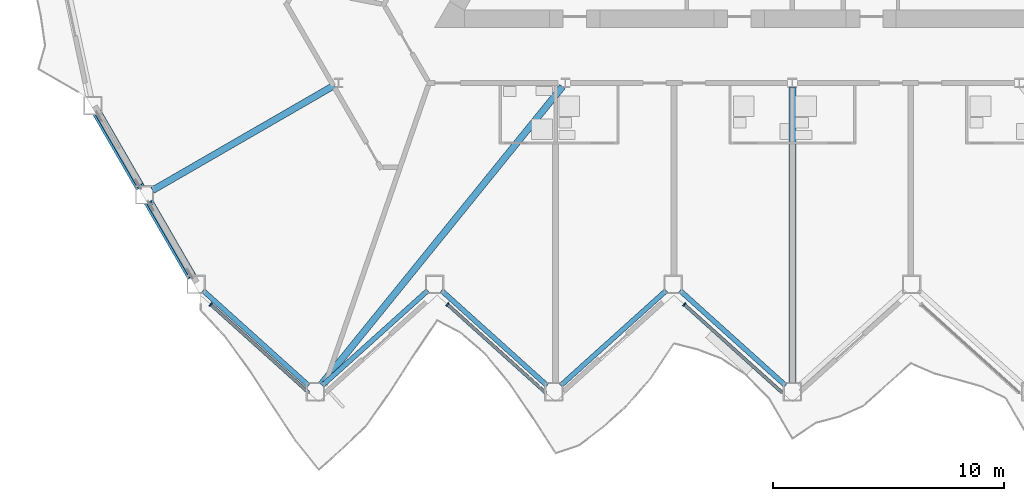
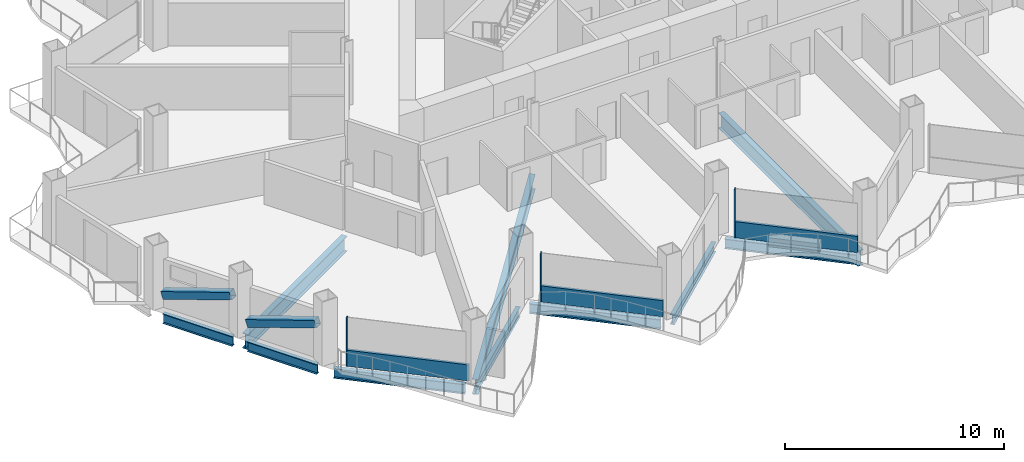
# One storey, part 3 of 23: 10 beams, 8 members, 3 elements without a shape of their own.
"""IFC4 building model written with IfcOpenShell, lengths in metres."""

from ifc_helpers import new_model, si_unit, direction, frame, origin, origin_2d, place, context, subcontext, project, spatial, rectangle, hollow_rectangle, i_section, extrude, material, layer, layer_set, material_profile, profile_set, type_object, element, aggregate, save


model = new_model("IFC4")

# Units and contexts
model_context = context("Model", 3, precision=1e-05, world=origin(), true_north=direction((0.0, 1.0)))
body_context = subcontext(model_context, "Body", "Model", "MODEL_VIEW")
ifc_project = project(units=[si_unit("LENGTHUNIT", "METRE"), si_unit("AREAUNIT", "SQUARE_METRE"), si_unit("VOLUMEUNIT", "CUBIC_METRE"), si_unit("PLANEANGLEUNIT", "RADIAN"), si_unit("MASSUNIT", "GRAM", prefix="KILO")], contexts=[model_context])

# Site, building, storey
site_placement = place(None, origin())
site = spatial("IfcSite", under=ifc_project, at=site_placement, CompositionType="ELEMENT")
building_placement = place(site_placement, origin())
building = spatial("IfcBuilding", under=site, at=building_placement, Name="Cormorant Prow Tower", CompositionType="ELEMENT")
storey_placement = place(building_placement, frame((0.0, 0.0, 183.60009765625)))
storey = spatial("IfcBuildingStorey", under=building, at=storey_placement, Name="L39", CompositionType="ELEMENT", Elevation=183.60009765625)

# Members
ifc_material_1 = material(Name="Structural steel ASTM A500 Gr C", Category="steel")
ifc_material_profile_1 = material_profile(ifc_material_1, hollow_rectangle(XDim=0.406494140625, YDim=0.406494140625, WallThickness=0.01171875, at=origin_2d()), Name="HSS16x16x1/2")
ifc_profile_set_1 = profile_set([ifc_material_profile_1], Name="Structural steel ASTM A500 Gr C")
member_type_1 = type_object("IfcMemberType", Name="Chamfer brace HSS16x16x1/2", PredefinedType="BRACE", material=ifc_profile_set_1)
member_1_placement = place(storey_placement, frame((-30.08544921875, -12.689453125, 0.739990234375), z_axis=(0.473992878603, -0.821006330213, 0.318244177926), x_axis=(0.866032413668, 0.499987858329, 0.0)))
element("IfcMember", 1, at=member_1_placement, inside=storey, type_object=member_type_1, Name="Chamfer brace BR2 at WSW00 L39", PredefinedType="BRACE", context=body_context, shape_type="SweptSolid", body=[
    extrude(hollow_rectangle(XDim=0.406494140625, YDim=0.406494140625, WallThickness=0.01171875, at=origin_2d()), origin(), (0.0, 0.0, 1.0), 3.835693359375),
])
member_2_placement = place(storey_placement, frame((-27.850341796875, -16.56103515625, 0.739990234375), z_axis=(0.474017648602, -0.820985582338, 0.318260808783), x_axis=(0.866015628144, 0.500016931523, 0.0)))
element("IfcMember", 2, at=member_2_placement, inside=storey, type_object=member_type_1, Name="Chamfer brace BR2 at WSW01 L39", PredefinedType="BRACE", context=body_context, shape_type="SweptSolid", body=[
    extrude(hollow_rectangle(XDim=0.406494140625, YDim=0.406494140625, WallThickness=0.01171875, at=origin_2d()), origin(), (0.0, 0.0, 1.0), 3.83544921875),
])

# Curtain wall, member
ifc_material_2 = material(Name="Aluminium 6063-T6", Category="aluminium")
ifc_layer = layer(ifc_material_2, 0.179931640625)
ifc_layer_set = layer_set([ifc_layer], Name="Aluminium 6063-T6")
curtain_wall_type = type_object("IfcCurtainWallType", Name="Hotel unitised curtain wall 180", PredefinedType="NOTDEFINED", material=ifc_layer_set)
curtain_wall_1_placement = place(storey_placement, origin())
curtain_wall_1 = element("IfcCurtainWall", 3, at=curtain_wall_1_placement, inside=storey, type_object=curtain_wall_type, Name="Hotel curtain wall S00", PredefinedType="NOTDEFINED")
ifc_material_3 = material(Name="Aluminium 6063-T6", Category="aluminium")
ifc_material_profile_2 = material_profile(ifc_material_3, rectangle(XDim=0.179931640625, YDim=0.06005859375, at=origin_2d()), Name="Hotel mullion 60x180")
ifc_profile_set_2 = profile_set([ifc_material_profile_2], Name="Aluminium 6063-T6")
member_type_2 = type_object("IfcMemberType", Name="Hotel mullion 60x180", PredefinedType="MULLION", material=ifc_profile_set_2)
member_3_placement = place(storey_placement, frame((-25.191162109375, -20.94189453125, 0.0), z_axis=(0.0, 0.0, 1.0), x_axis=(0.669130655957, 0.743144780819, 0.0)))
member_3 = element("IfcMember", 4, at=member_3_placement, type_object=member_type_2, Name="Hotel mullion S00", PredefinedType="MULLION", context=body_context, shape_type="SweptSolid", body=[
    extrude(rectangle(XDim=0.179931640625, YDim=0.06005859375, at=origin_2d()), origin(), (0.0, 0.0, 1.0), 2.70068359375),
])

curtain_wall_2_placement = place(storey_placement, origin())
curtain_wall_2 = element("IfcCurtainWall", 5, at=curtain_wall_2_placement, inside=storey, type_object=curtain_wall_type, Name="Hotel curtain wall S02", PredefinedType="NOTDEFINED")
member_4_placement = place(storey_placement, frame((-14.93701171875, -20.94189453125, 0.0), z_axis=(0.0, 0.0, 1.0), x_axis=(0.669130583881, 0.743144845716, 0.0)))
member_4 = element("IfcMember", 6, at=member_4_placement, type_object=member_type_2, Name="Hotel mullion S02", PredefinedType="MULLION", context=body_context, shape_type="SweptSolid", body=[
    extrude(rectangle(XDim=0.179931640625, YDim=0.06005859375, at=origin_2d()), origin(), (0.0, 0.0, 1.0), 2.70068359375),
])

curtain_wall_3_placement = place(storey_placement, origin())
curtain_wall_3 = element("IfcCurtainWall", 7, at=curtain_wall_3_placement, inside=storey, type_object=curtain_wall_type, Name="Hotel curtain wall S04", PredefinedType="NOTDEFINED")
member_5_placement = place(storey_placement, frame((-4.6826171875, -20.94189453125, 0.0), z_axis=(0.0, 0.0, 1.0), x_axis=(0.669130583881, 0.743144845716, 0.0)))
member_5 = element("IfcMember", 8, at=member_5_placement, type_object=member_type_2, Name="Hotel mullion S04", PredefinedType="MULLION", context=body_context, shape_type="SweptSolid", body=[
    extrude(rectangle(XDim=0.179931640625, YDim=0.06005859375, at=origin_2d()), origin(), (0.0, 0.0, 1.0), 2.70068359375),
])

# Member
ifc_material_4 = material(Name="Terracotta", Category="masonry")
ifc_material_profile_3 = material_profile(ifc_material_4, rectangle(XDim=0.139892578125, YDim=0.89990234375, at=origin_2d()), Name="Hotel terracotta spandrel rail 140x900")
ifc_profile_set_3 = profile_set([ifc_material_profile_3], Name="Terracotta")
member_type_3 = type_object("IfcMemberType", Name="Hotel terracotta spandrel rail 140x900", PredefinedType="USERDEFINED", material=ifc_profile_set_3)
member_6_placement = place(storey_placement, frame((-25.1689453125, -20.9619140625, 0.449951171875), z_axis=(0.74314512794, -0.66913027044, 0.0), x_axis=(0.66913027044, 0.74314512794, 0.0)))
member_6 = element("IfcMember", 9, at=member_6_placement, type_object=member_type_3, Name="Hotel spandrel rail S00", ObjectType="TRANSOM", PredefinedType="USERDEFINED", context=body_context, shape_type="SweptSolid", body=[
    extrude(rectangle(XDim=0.139892578125, YDim=0.89990234375, at=origin_2d()), origin(), (0.0, 0.0, 1.0), 5.703125),
])

aggregate(curtain_wall_1, [member_3, member_6])

member_7_placement = place(storey_placement, frame((-14.91455078125, -20.9619140625, 0.449951171875), z_axis=(0.74314512794, -0.66913027044, 0.0), x_axis=(0.66913027044, 0.74314512794, 0.0)))
member_7 = element("IfcMember", 10, at=member_7_placement, type_object=member_type_3, Name="Hotel spandrel rail S02", ObjectType="TRANSOM", PredefinedType="USERDEFINED", context=body_context, shape_type="SweptSolid", body=[
    extrude(rectangle(XDim=0.139892578125, YDim=0.89990234375, at=origin_2d()), origin(), (0.0, 0.0, 1.0), 5.703125),
])

aggregate(curtain_wall_2, [member_4, member_7])

member_8_placement = place(storey_placement, frame((-4.660400390625, -20.9619140625, 0.449951171875), z_axis=(0.74314512794, -0.66913027044, 0.0), x_axis=(0.66913027044, 0.74314512794, 0.0)))
member_8 = element("IfcMember", 11, at=member_8_placement, type_object=member_type_3, Name="Hotel spandrel rail S04", ObjectType="TRANSOM", PredefinedType="USERDEFINED", context=body_context, shape_type="SweptSolid", body=[
    extrude(rectangle(XDim=0.139892578125, YDim=0.89990234375, at=origin_2d()), origin(), (0.0, 0.0, 1.0), 5.703125),
])

aggregate(curtain_wall_3, [member_5, member_8])

# Beams
ifc_material_5 = material(Name="Structural steel ASTM A992 Gr 50", Category="steel")
ifc_material_profile_4 = material_profile(ifc_material_5, i_section(OverallWidth=0.29296875, OverallDepth=0.845703125, WebThickness=0.015380859375, FlangeThickness=0.0244140625, at=origin_2d()), Name="W33x141")
ifc_profile_set_4 = profile_set([ifc_material_profile_4], Name="Structural steel ASTM A992 Gr 50")
beam_type_1 = type_object("IfcBeamType", Name="Radial floor beam W33x141", PredefinedType="BEAM", material=ifc_profile_set_4)
beam_1_placement = place(storey_placement, frame((-19.833251953125, -11.45068359375, -0.77294921875), z_axis=(-0.866023373109, -0.500003517217, 0.0), x_axis=(0.500003517217, -0.866023373109, 0.0)))
element("IfcBeam", 12, at=beam_1_placement, inside=storey, type_object=beam_type_1, Name="Radial floor beam FB2 5 L39", PredefinedType="BEAM", context=body_context, shape_type="SweptSolid", body=[
    extrude(i_section(OverallWidth=0.29296875, OverallDepth=0.845703125, WebThickness=0.015380859375, FlangeThickness=0.0244140625, at=origin_2d()), origin(), (0.0, 0.0, 1.0), 9.09814453125),
])
beam_2_placement = place(storey_placement, frame((-9.95654296875, -11.50732421875, -0.77294921875), z_axis=(-0.629385162657, -0.777093505974, 0.0), x_axis=(0.777093505974, -0.629385162657, 0.0)))
element("IfcBeam", 13, at=beam_2_placement, inside=storey, type_object=beam_type_1, Name="Radial floor beam FB2 6 L39", PredefinedType="BEAM", context=body_context, shape_type="SweptSolid", body=[
    extrude(i_section(OverallWidth=0.29296875, OverallDepth=0.845703125, WebThickness=0.015380859375, FlangeThickness=0.0244140625, at=origin_2d()), origin(), (0.0, 0.0, 1.0), 16.6044921875),
])
beam_3_placement = place(storey_placement, frame((0.0, -11.552734375, -0.77294921875), z_axis=(0.0, -1.0, 0.0), x_axis=(1.0, 0.0, 0.0)))
element("IfcBeam", 14, at=beam_3_placement, inside=storey, type_object=beam_type_1, Name="Radial floor beam FB2 7 L39", PredefinedType="BEAM", context=body_context, shape_type="SweptSolid", body=[
    extrude(i_section(OverallWidth=0.29296875, OverallDepth=0.845703125, WebThickness=0.015380859375, FlangeThickness=0.0244140625, at=origin_2d()), origin(), (0.0, 0.0, 1.0), 12.768798828125),
])
ifc_material_6 = material(Name="Structural steel ASTM A992 Gr 50", Category="steel")
ifc_material_profile_5 = material_profile(ifc_material_6, i_section(OverallWidth=0.2138671875, OverallDepth=0.549072265625, WebThickness=0.0146484375, FlangeThickness=0.023681640625, at=origin_2d()), Name="W21x93")
ifc_profile_set_5 = profile_set([ifc_material_profile_5], Name="Structural steel ASTM A992 Gr 50")
beam_type_2 = type_object("IfcBeamType", Name="Spandrel beam W21x93", PredefinedType="SPANDREL", material=ifc_profile_set_5)
beam_4_placement = place(storey_placement, frame((-25.5263671875, -20.3388671875, -0.624755859375), z_axis=(0.743155953285, -0.669118247469, 0.0), x_axis=(0.669118247469, 0.743155953285, 0.0)))
element("IfcBeam", 15, at=beam_4_placement, inside=storey, type_object=beam_type_2, Name="Spandrel beam SB2 S00-S01 L39", PredefinedType="SPANDREL", context=body_context, shape_type="SweptSolid", body=[
    extrude(i_section(OverallWidth=0.2138671875, OverallDepth=0.549072265625, WebThickness=0.0146484375, FlangeThickness=0.023681640625, at=origin_2d()), origin(), (0.0, 0.0, 1.0), 6.14990234375),
])
for number, where, z_axis, x_axis, name in (
    (16, (-20.361572265625, -24.453857421875, -0.624755859375), (0.743138178716, 0.669137988261, 0.0), (-0.669137988261, 0.743138178716, 0.0), "Spandrel beam SB2 S01-S02 L39"),
    (17, (-15.19677734375, -20.3388671875, -0.624755859375), (0.743138178716, -0.669137988261, 0.0), (0.669137988261, 0.743138178716, 0.0), "Spandrel beam SB2 S02-S03 L39"),
):
    element("IfcBeam", number, at=place(storey_placement, frame(where, z_axis=z_axis, x_axis=x_axis)), inside=storey, type_object=beam_type_2, Name=name, PredefinedType="SPANDREL", context=body_context, shape_type="SweptSolid", body=[
        extrude(i_section(OverallWidth=0.2138671875, OverallDepth=0.549072265625, WebThickness=0.0146484375, FlangeThickness=0.023681640625, at=origin_2d()), origin(), (0.0, 0.0, 1.0), 6.149658203125),
    ])
beam_5_placement = place(storey_placement, frame((-10.0322265625, -24.453857421875, -0.624755859375), z_axis=(0.743155953285, 0.669118247469, 0.0), x_axis=(-0.669118247469, 0.743155953285, 0.0)))
element("IfcBeam", 18, at=beam_5_placement, inside=storey, type_object=beam_type_2, Name="Spandrel beam SB2 S03-S04 L39", PredefinedType="SPANDREL", context=body_context, shape_type="SweptSolid", body=[
    extrude(i_section(OverallWidth=0.2138671875, OverallDepth=0.549072265625, WebThickness=0.0146484375, FlangeThickness=0.023681640625, at=origin_2d()), origin(), (0.0, 0.0, 1.0), 6.14990234375),
])
beam_6_placement = place(storey_placement, frame((-4.867431640625, -20.3388671875, -0.624755859375), z_axis=(0.743138178716, -0.669137988261, 0.0), x_axis=(0.669137988261, 0.743138178716, 0.0)))
element("IfcBeam", 19, at=beam_6_placement, inside=storey, type_object=beam_type_2, Name="Spandrel beam SB2 S04-S05 L39", PredefinedType="SPANDREL", context=body_context, shape_type="SweptSolid", body=[
    extrude(i_section(OverallWidth=0.2138671875, OverallDepth=0.549072265625, WebThickness=0.0146484375, FlangeThickness=0.023681640625, at=origin_2d()), origin(), (0.0, 0.0, 1.0), 6.149658203125),
])
for number, where, z_axis, x_axis, name in (
    (20, (-30.093994140625, -12.674560546875, -0.624755859375), (0.499994986164, -0.866028298505, 0.0), (0.866028298505, 0.499994986164, 0.0), "Spandrel beam SB2 WSW00-WSW01 L39"),
    (21, (-27.85888671875, -16.546142578125, -0.624755859375), (0.499994986164, -0.866028298505, 0.0), (0.866028298505, 0.499994986164, 0.0), "Spandrel beam SB2 WSW01-S00 L39"),
):
    element("IfcBeam", number, at=place(storey_placement, frame(where, z_axis=z_axis, x_axis=x_axis)), inside=storey, type_object=beam_type_2, Name=name, PredefinedType="SPANDREL", context=body_context, shape_type="SweptSolid", body=[
        extrude(i_section(OverallWidth=0.2138671875, OverallDepth=0.549072265625, WebThickness=0.0146484375, FlangeThickness=0.023681640625, at=origin_2d()), origin(), (0.0, 0.0, 1.0), 3.67041015625),
    ])

save(model, "model.ifc")
